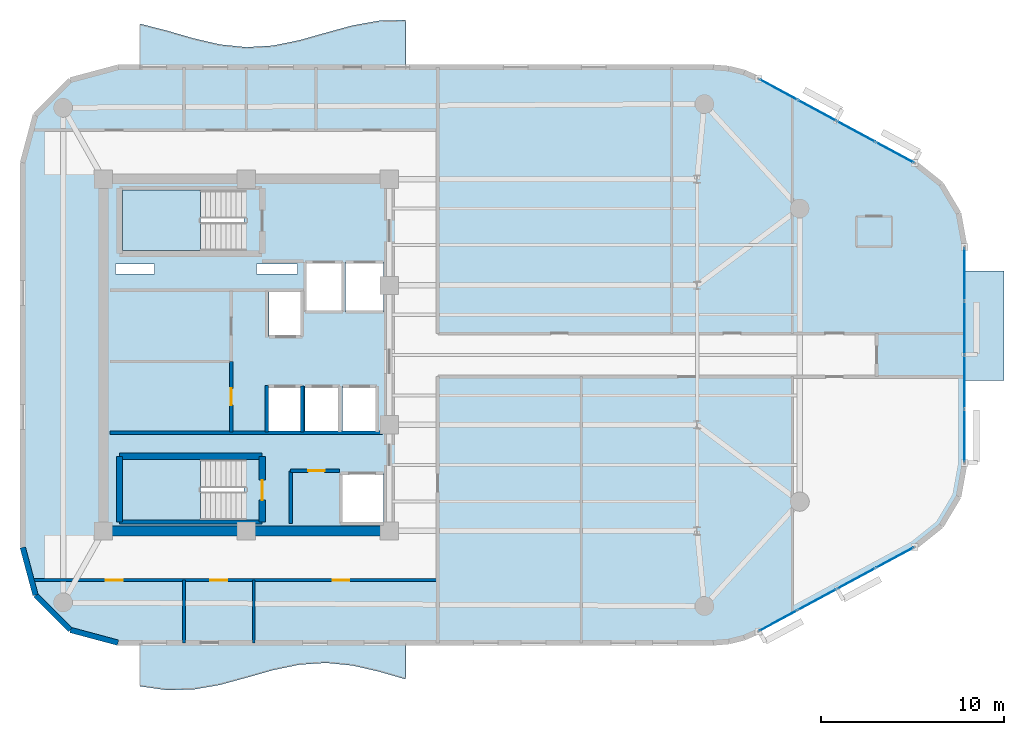
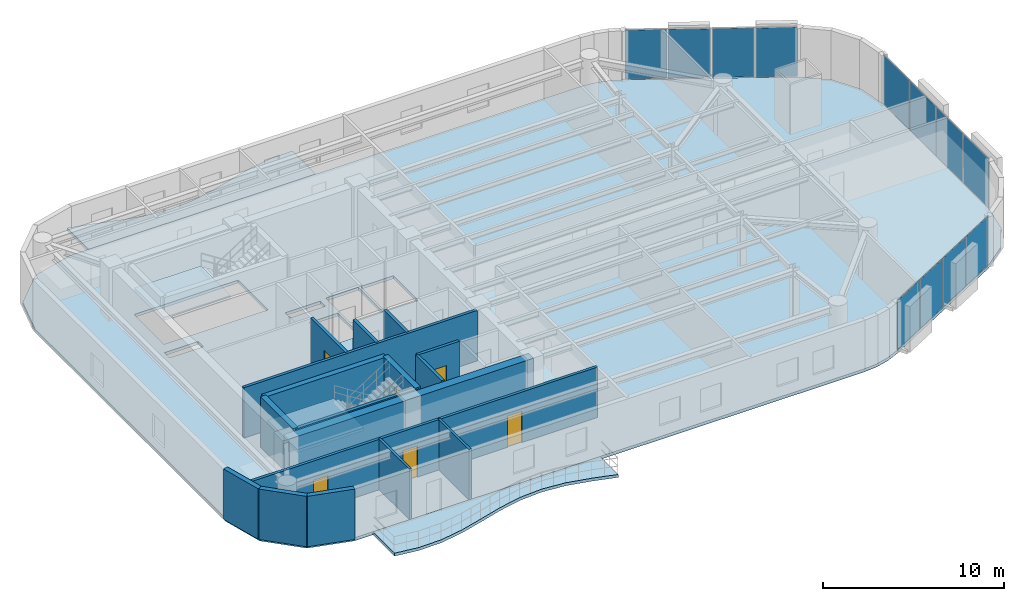
# One storey, part 8 of 13: 17 walls, 12 plates, 6 doors, 6 slabs, 6 openings, 5 elements without a shape of their own.
"""IFC4 building model written with IfcOpenShell, lengths in metres."""

from ifc_helpers import new_model, si_unit, direction, frame, frame_2d, origin, origin_2d, place, context, subcontext, project, spatial, polyline, rectangle, outline, extrude, material, layer, layer_set, type_object, element, fill, aggregate, save


model = new_model("IFC4")

# Units and contexts
model_context = context("Model", 3, precision=1e-05, world=origin(), true_north=direction((0.0, 1.0)))
body_context = subcontext(model_context, "Body", "Model", "MODEL_VIEW")
ifc_project = project(units=[si_unit("LENGTHUNIT", "METRE"), si_unit("AREAUNIT", "SQUARE_METRE"), si_unit("VOLUMEUNIT", "CUBIC_METRE"), si_unit("PLANEANGLEUNIT", "RADIAN"), si_unit("MASSUNIT", "GRAM", prefix="KILO")], contexts=[model_context])

# Site, building, storey
site_placement = place(None, origin())
site = spatial("IfcSite", under=ifc_project, at=site_placement, CompositionType="ELEMENT")
building_placement = place(site_placement, origin())
building = spatial("IfcBuilding", under=site, at=building_placement, Name="An Khanh Terracotta Commons", CompositionType="ELEMENT")
storey_placement = place(building_placement, frame((0.0, 0.0, 212.10009765625)))
storey = spatial("IfcBuildingStorey", under=building, at=storey_placement, Name="L55", CompositionType="ELEMENT", Elevation=212.10009765625)

# Curtain wall, plates
ifc_material_1 = material(Name="Anodised Aluminium 6063-T6", Category="aluminium")
ifc_layer_1 = layer(ifc_material_1, 0.2099609375, Name="Anodised Aluminium 6063-T6")
ifc_layer_set_1 = layer_set([ifc_layer_1], Name="Anodised Aluminium 6063-T6")
curtain_wall_type = type_object("IfcCurtainWallType", Name="CW-SYS-03", PredefinedType="USERDEFINED", material=ifc_layer_set_1)
curtain_wall_1_placement = place(storey_placement, origin())
curtain_wall_1 = element("IfcCurtainWall", 1, at=curtain_wall_1_placement, inside=storey, type_object=curtain_wall_type, Name="L55 CW-03 Unitised Curtain Wall CW-L55-08", ObjectType="UNITISED CURTAIN WALL", PredefinedType="USERDEFINED")
ifc_material_2 = material(Name="Acoustic Laminated Low-E Glazing", Category="glass")
ifc_layer_2 = layer(ifc_material_2, 0.035888671875, Name="Acoustic Laminated Low-E Glazing")
ifc_layer_set_2 = layer_set([ifc_layer_2], Name="Acoustic Laminated Low-E Glazing")
plate_type = type_object("IfcPlateType", Name="CWP-IGU-36", PredefinedType="CURTAIN_PANEL", material=ifc_layer_set_2)
plate_1_placement = place(storey_placement, frame((58.436767578125, 9.508544921875, 0.0498046875), z_axis=(0.0, 0.0, 1.0), x_axis=(0.879780095306, 0.47538088298, 0.0)))
plate_1 = element("IfcPlate", 2, at=plate_1_placement, type_object=plate_type, Name="CW-03 panel 1.1", PredefinedType="CURTAIN_PANEL", context=body_context, shape_type="SweptSolid", body=[
    extrude(rectangle(XDim=2.314697265625, YDim=0.035888671875, at=origin_2d()), origin(), (0.0, 0.0, 1.0), 3.300048828125),
])
plate_2_placement = place(storey_placement, frame((60.550048828125, 10.650390625, 0.0498046875), z_axis=(0.0, 0.0, 1.0), x_axis=(0.879780095306, 0.47538088298, 0.0)))
plate_2 = element("IfcPlate", 3, at=plate_2_placement, type_object=plate_type, Name="CW-03 panel 2.1", PredefinedType="CURTAIN_PANEL", context=body_context, shape_type="SweptSolid", body=[
    extrude(rectangle(XDim=2.349609375, YDim=0.035888671875, at=origin_2d()), origin(), (0.0, 0.0, 1.0), 3.300048828125),
])
plate_3_placement = place(storey_placement, frame((62.678955078125, 11.800537109375, 0.0498046875), z_axis=(0.0, 0.0, 1.0), x_axis=(0.879780095306, 0.47538088298, 0.0)))
plate_3 = element("IfcPlate", 4, at=plate_3_placement, type_object=plate_type, Name="CW-03 panel 3.1", PredefinedType="CURTAIN_PANEL", context=body_context, shape_type="SweptSolid", body=[
    extrude(rectangle(XDim=2.349609375, YDim=0.035888671875, at=origin_2d()), origin(), (0.0, 0.0, 1.0), 3.300048828125),
])
plate_4_placement = place(storey_placement, frame((64.792236328125, 12.942626953125, 0.0498046875), z_axis=(0.0, 0.0, 1.0), x_axis=(0.879780095306, 0.47538088298, 0.0)))
plate_4 = element("IfcPlate", 5, at=plate_4_placement, type_object=plate_type, Name="CW-03 panel 4.1", PredefinedType="CURTAIN_PANEL", context=body_context, shape_type="SweptSolid", body=[
    extrude(rectangle(XDim=2.314697265625, YDim=0.035888671875, at=origin_2d()), origin(), (0.0, 0.0, 1.0), 3.300048828125),
])
aggregate(curtain_wall_1, [plate_1, plate_2, plate_3, plate_4])

curtain_wall_2_placement = place(storey_placement, origin())
curtain_wall_2 = element("IfcCurtainWall", 6, at=curtain_wall_2_placement, inside=storey, type_object=curtain_wall_type, Name="L55 CW-03 Unitised Curtain Wall CW-L55-12", ObjectType="UNITISED CURTAIN WALL", PredefinedType="USERDEFINED")
plate_5_placement = place(storey_placement, frame((68.60009765625, 19.59326171875, 0.0498046875), z_axis=(0.0, 0.0, 1.0), x_axis=(0.0, 1.0, 0.0)))
plate_5 = element("IfcPlate", 7, at=plate_5_placement, type_object=plate_type, Name="CW-03 panel 1.1", PredefinedType="CURTAIN_PANEL", context=body_context, shape_type="SweptSolid", body=[
    extrude(rectangle(XDim=2.844482421875, YDim=0.035888671875, at=origin_2d()), origin(), (0.0, 0.0, 1.0), 3.300048828125),
])
plate_6_placement = place(storey_placement, frame((68.60009765625, 22.525146484375, 0.0498046875), z_axis=(0.0, 0.0, 1.0), x_axis=(0.0, 1.0, 0.0)))
plate_6 = element("IfcPlate", 8, at=plate_6_placement, type_object=plate_type, Name="CW-03 panel 2.1", PredefinedType="CURTAIN_PANEL", context=body_context, shape_type="SweptSolid", body=[
    extrude(rectangle(XDim=2.87939453125, YDim=0.035888671875, at=origin_2d()), origin(), (0.0, 0.0, 1.0), 3.300048828125),
])
plate_7_placement = place(storey_placement, frame((68.60009765625, 25.474853515625, 0.0498046875), z_axis=(0.0, 0.0, 1.0), x_axis=(0.0, 1.0, 0.0)))
plate_7 = element("IfcPlate", 9, at=plate_7_placement, type_object=plate_type, Name="CW-03 panel 3.1", PredefinedType="CURTAIN_PANEL", context=body_context, shape_type="SweptSolid", body=[
    extrude(rectangle(XDim=2.87939453125, YDim=0.035888671875, at=origin_2d()), origin(), (0.0, 0.0, 1.0), 3.300048828125),
])
plate_8_placement = place(storey_placement, frame((68.60009765625, 28.40673828125, 0.0498046875), z_axis=(0.0, 0.0, 1.0), x_axis=(0.0, 1.0, 0.0)))
plate_8 = element("IfcPlate", 10, at=plate_8_placement, type_object=plate_type, Name="CW-03 panel 4.1", PredefinedType="CURTAIN_PANEL", context=body_context, shape_type="SweptSolid", body=[
    extrude(rectangle(XDim=2.844482421875, YDim=0.035888671875, at=origin_2d()), origin(), (0.0, 0.0, 1.0), 3.300048828125),
])
aggregate(curtain_wall_2, [plate_5, plate_6, plate_7, plate_8])

curtain_wall_3_placement = place(storey_placement, origin())
curtain_wall_3 = element("IfcCurtainWall", 11, at=curtain_wall_3_placement, inside=storey, type_object=curtain_wall_type, Name="L55 CW-03 Unitised Curtain Wall CW-L55-16", ObjectType="UNITISED CURTAIN WALL", PredefinedType="USERDEFINED")
plate_9_placement = place(storey_placement, frame((64.792236328125, 35.057373046875, 0.0498046875), z_axis=(0.0, 0.0, 1.0), x_axis=(-0.879780095306, 0.47538088298, 0.0)))
plate_9 = element("IfcPlate", 12, at=plate_9_placement, type_object=plate_type, Name="CW-03 panel 1.1", PredefinedType="CURTAIN_PANEL", context=body_context, shape_type="SweptSolid", body=[
    extrude(rectangle(XDim=2.314697265625, YDim=0.035888671875, at=origin_2d()), origin(), (0.0, 0.0, 1.0), 3.300048828125),
])
plate_10_placement = place(storey_placement, frame((62.678955078125, 36.199462890625, 0.0498046875), z_axis=(0.0, 0.0, 1.0), x_axis=(-0.879780095306, 0.47538088298, 0.0)))
plate_10 = element("IfcPlate", 13, at=plate_10_placement, type_object=plate_type, Name="CW-03 panel 2.1", PredefinedType="CURTAIN_PANEL", context=body_context, shape_type="SweptSolid", body=[
    extrude(rectangle(XDim=2.349609375, YDim=0.035888671875, at=origin_2d()), origin(), (0.0, 0.0, 1.0), 3.300048828125),
])
plate_11_placement = place(storey_placement, frame((60.550048828125, 37.349609375, 0.0498046875), z_axis=(0.0, 0.0, 1.0), x_axis=(-0.879780095306, 0.47538088298, 0.0)))
plate_11 = element("IfcPlate", 14, at=plate_11_placement, type_object=plate_type, Name="CW-03 panel 3.1", PredefinedType="CURTAIN_PANEL", context=body_context, shape_type="SweptSolid", body=[
    extrude(rectangle(XDim=2.349609375, YDim=0.035888671875, at=origin_2d()), origin(), (0.0, 0.0, 1.0), 3.300048828125),
])
plate_12_placement = place(storey_placement, frame((58.436767578125, 38.491455078125, 0.0498046875), z_axis=(0.0, 0.0, 1.0), x_axis=(-0.879780095306, 0.47538088298, 0.0)))
plate_12 = element("IfcPlate", 15, at=plate_12_placement, type_object=plate_type, Name="CW-03 panel 4.1", PredefinedType="CURTAIN_PANEL", context=body_context, shape_type="SweptSolid", body=[
    extrude(rectangle(XDim=2.314697265625, YDim=0.035888671875, at=origin_2d()), origin(), (0.0, 0.0, 1.0), 3.300048828125),
])
aggregate(curtain_wall_3, [plate_9, plate_10, plate_11, plate_12])

# Slabs
ifc_material_3 = material(Name="Concrete C40/50", Category="concrete")
ifc_layer_3 = layer(ifc_material_3, 0.199951171875, Name="Concrete C40/50")
ifc_layer_set_3 = layer_set([ifc_layer_3], Name="Concrete C40/50")
slab_type_1 = type_object("IfcSlabType", Name="SLAB-BALC-200", PredefinedType="FLOOR", material=ifc_layer_set_3)
slab_1_placement = place(storey_placement, frame((0.0, 0.0, -0.2001953125)))
element("IfcSlab", 16, at=slab_1_placement, inside=storey, type_object=slab_type_1, Name="L55 S Sinusoidal Wave Balcony Slab", PredefinedType="FLOOR", context=body_context, shape_type="SweptSolid", body=[
    extrude(outline(polyline([(23.60009765625, 8.300048828125), (23.60009765625, 5.919921875), (25.050048828125, 5.717041015625), (26.5, 5.74609375), (27.949951171875, 5.9970703125), (29.39990234375, 6.39111328125), (30.85009765625, 6.803955078125), (32.300048828125, 7.10400390625), (33.75, 7.198974609375), (35.199951171875, 7.056884765625), (36.64990234375, 6.722900390625), (38.10009765625, 6.303955078125), (38.10009765625, 8.300048828125), (23.60009765625, 8.300048828125)])), origin(), (0.0, 0.0, 1.0), 0.2001953125),
])
slab_2_placement = place(storey_placement, frame((0.0, 0.0, -0.2001953125)))
element("IfcSlab", 17, at=slab_2_placement, inside=storey, type_object=slab_type_1, Name="L55 N Sinusoidal Wave Balcony Slab", PredefinedType="FLOOR", context=body_context, shape_type="SweptSolid", body=[
    extrude(outline(polyline([(38.10009765625, 39.699951171875), (38.10009765625, 42.285888671875), (36.64990234375, 42.248046875), (35.199951171875, 41.990966796875), (33.75, 41.593994140625), (32.300048828125, 41.18408203125), (30.85009765625, 40.888916015625), (29.39990234375, 40.802001953125), (27.949951171875, 40.951904296875), (26.5, 41.2900390625), (25.050048828125, 41.7109375), (23.60009765625, 42.080078125), (23.60009765625, 39.699951171875), (38.10009765625, 39.699951171875)])), origin(), (0.0, 0.0, 1.0), 0.2001953125),
])
ifc_layer_4 = layer(ifc_material_3, 0.22998046875, Name="Concrete C40/50")
ifc_layer_set_4 = layer_set([ifc_layer_4], Name="Concrete C40/50")
slab_type_2 = type_object("IfcSlabType", Name="SLAB-BOXROOF-230", PredefinedType="ROOF", material=ifc_layer_set_4)
slab_3_placement = place(storey_placement, frame((0.0, 0.0, -0.2001953125)))
element("IfcSlab", 18, at=slab_3_placement, inside=storey, type_object=slab_type_2, Name="L55 Shifted Social Kitchen Box Closing Roof Slab (L54)", PredefinedType="ROOF", context=body_context, shape_type="SweptSolid", body=[
    extrude(outline(polyline([(68.60009765625, 22.60009765625), (70.75, 22.60009765625), (70.75, 28.60009765625), (68.60009765625, 28.60009765625), (68.60009765625, 22.60009765625)])), origin(), (0.0, 0.0, 1.0), 0.2001953125),
])

# Stair, slab
ifc_material_4 = material(Name="Precast concrete C40/50", Category="concrete")
stair_type = type_object("IfcStairType", Name="STAIR-CORE-1550", PredefinedType="HALF_TURN_STAIR", material=ifc_material_4)
stair_1_placement = place(storey_placement, origin())
stair_1 = element("IfcStair", 19, at=stair_1_placement, inside=storey, type_object=stair_type, Name="L55 Core Smokeproof Exit Stair ST-01", PredefinedType="HALF_TURN_STAIR")
ifc_layer_5 = layer(ifc_material_3, 0.18994140625, Name="Concrete C40/50")
ifc_layer_set_5 = layer_set([ifc_layer_5], Name="Concrete C40/50")
slab_type_3 = type_object("IfcSlabType", Name="SLAB-LANDING-190", PredefinedType="LANDING", material=ifc_layer_set_5)
slab_4_placement = place(storey_placement, frame((0.0, 0.0, 1.599853515625)))
slab_4 = element("IfcSlab", 20, at=slab_4_placement, type_object=slab_type_3, Name="ST-01 landing 1", PredefinedType="LANDING", context=body_context, shape_type="SweptSolid", body=[
    extrude(outline(polyline([(26.889892578125, 33.0), (22.64990234375, 33.0), (22.64990234375, 29.699951171875), (26.889892578125, 29.699951171875), (26.889892578125, 33.0)])), origin(), (0.0, 0.0, 1.0), 0.199951171875),
])
aggregate(stair_1, [slab_4])

stair_2_placement = place(storey_placement, origin())
stair_2 = element("IfcStair", 21, at=stair_2_placement, inside=storey, type_object=stair_type, Name="L55 Core Smokeproof Exit Stair ST-02", PredefinedType="HALF_TURN_STAIR")
slab_5_placement = place(storey_placement, frame((0.0, 0.0, 1.599853515625)))
slab_5 = element("IfcSlab", 22, at=slab_5_placement, type_object=slab_type_3, Name="ST-02 landing 1", PredefinedType="LANDING", context=body_context, shape_type="SweptSolid", body=[
    extrude(outline(polyline([(26.889892578125, 18.300048828125), (22.64990234375, 18.300048828125), (22.64990234375, 15.0), (26.889892578125, 15.0), (26.889892578125, 18.300048828125)])), origin(), (0.0, 0.0, 1.0), 0.199951171875),
])
aggregate(stair_2, [slab_5])

# Slab
ifc_layer_6 = layer(ifc_material_3, 0.199951171875, Name="Concrete C40/50")
ifc_layer_set_6 = layer_set([ifc_layer_6], Name="Concrete C40/50")
slab_type_4 = type_object("IfcSlabType", Name="SLAB-TYP-200", PredefinedType="FLOOR", material=ifc_layer_set_6)
slab_6_placement = place(storey_placement, frame((0.0, 0.0, -0.2001953125)))
element("IfcSlab", 23, at=slab_6_placement, inside=storey, type_object=slab_type_4, Name="L55 Structural Floor Slab", PredefinedType="FLOOR", context=body_context, shape_type="SweptSolid", body=[
    extrude(outline(polyline([(17.199951171875, 13.5), (17.89697265625, 10.89990234375), (19.800048828125, 8.9970703125), (22.39990234375, 8.300048828125), (54.885009765625, 8.300048828125), (55.739990234375, 8.37109375), (56.571044921875, 8.5810546875), (57.35693359375, 8.925048828125), (65.8720703125, 13.52587890625), (67.320068359375, 14.68408203125), (68.26904296875, 16.27587890625), (68.60009765625, 18.10107421875), (68.60009765625, 29.89892578125), (68.26904296875, 31.72412109375), (67.320068359375, 33.31591796875), (65.8720703125, 34.47412109375), (57.35693359375, 39.074951171875), (56.571044921875, 39.4189453125), (55.739990234375, 39.62890625), (54.885009765625, 39.699951171875), (22.39990234375, 39.699951171875), (19.800048828125, 39.0029296875), (17.89697265625, 37.10009765625), (17.199951171875, 34.5), (17.199951171875, 13.5)]), holes=[polyline([(22.64990234375, 29.699951171875), (29.27001953125, 29.699951171875), (29.27001953125, 33.0), (22.64990234375, 33.0), (22.64990234375, 29.699951171875)]), polyline([(22.64990234375, 15.0), (29.27001953125, 15.0), (29.27001953125, 18.300048828125), (22.64990234375, 18.300048828125), (22.64990234375, 15.0)]), polyline([(32.60009765625, 26.35009765625), (34.679931640625, 26.35009765625), (34.679931640625, 29.080078125), (32.60009765625, 29.080078125), (32.60009765625, 26.35009765625)]), polyline([(34.820068359375, 26.35009765625), (36.89990234375, 26.35009765625), (36.89990234375, 29.080078125), (34.820068359375, 29.080078125), (34.820068359375, 26.35009765625)]), polyline([(34.550048828125, 14.800048828125), (36.89990234375, 14.800048828125), (36.89990234375, 17.550048828125), (34.550048828125, 17.550048828125), (34.550048828125, 14.800048828125)]), polyline([(30.639892578125, 25.0), (32.4599609375, 25.0), (32.4599609375, 27.5), (30.639892578125, 27.5), (30.639892578125, 25.0)]), polyline([(30.56005859375, 19.800048828125), (32.4599609375, 19.800048828125), (32.4599609375, 22.300048828125), (30.56005859375, 22.300048828125), (30.56005859375, 19.800048828125)]), polyline([(32.60009765625, 19.800048828125), (34.5, 19.800048828125), (34.5, 22.300048828125), (32.60009765625, 22.300048828125), (32.60009765625, 19.800048828125)]), polyline([(34.639892578125, 19.800048828125), (36.5400390625, 19.800048828125), (36.5400390625, 22.300048828125), (34.639892578125, 22.300048828125), (34.639892578125, 19.800048828125)]), polyline([(22.25, 28.419921875), (24.39990234375, 28.419921875), (24.39990234375, 28.97998046875), (22.25, 28.97998046875), (22.25, 28.419921875)]), polyline([(29.949951171875, 28.419921875), (32.199951171875, 28.419921875), (32.199951171875, 28.97998046875), (29.949951171875, 28.97998046875), (29.949951171875, 28.419921875)])]), origin(), (0.0, 0.0, 1.0), 0.2001953125),
])

# Walls
ifc_material_5 = material(Name="Concrete C50/60", Category="concrete")
ifc_layer_7 = layer(ifc_material_5, 0.550048828125, Name="Concrete C50/60")
ifc_layer_set_7 = layer_set([ifc_layer_7], Name="Concrete C50/60")
wall_type_1 = type_object("IfcWallType", Name="WALL-CORE-550", PredefinedType="SHEAR", material=ifc_layer_set_7)
wall_1_placement = place(storey_placement, frame((37.199951171875, 14.39990234375, 0.0), z_axis=(0.0, 0.0, 1.0), x_axis=(-1.0, 0.0, 0.0)))
element("IfcWall", 24, at=wall_1_placement, inside=storey, type_object=wall_type_1, Name="L55 Core Wall CWALL-L55-S", PredefinedType="SHEAR", context=body_context, shape_type="SweptSolid", body=[
    extrude(rectangle(XDim=15.599853515625, YDim=0.550048828125, at=frame_2d((7.7998046875, 0.0))), origin(), (0.0, 0.0, 1.0), 3.39990234375),
])
ifc_material_6 = material(Name="Fire-Rated Gypsum Board on Steel Stud", Category="steel")
ifc_layer_8 = layer(ifc_material_6, 0.179931640625, Name="Fire-Rated Gypsum Board on Steel Stud")
ifc_layer_set_8 = layer_set([ifc_layer_8], Name="Fire-Rated Gypsum Board on Steel Stud")
wall_type_2 = type_object("IfcWallType", Name="WALL-CORR-180", PredefinedType="PARTITIONING", material=ifc_layer_set_8)
wall_2_placement = place(storey_placement, frame((21.949951171875, 19.760009765625, 0.0), z_axis=(0.0, 0.0, 1.0), x_axis=(1.0, 0.0, 0.0)))
element("IfcWall", 25, at=wall_2_placement, inside=storey, type_object=wall_type_2, Name="L55 Core Wall SVW-L55-N", PredefinedType="PARTITIONING", context=body_context, shape_type="SweptSolid", body=[
    extrude(rectangle(XDim=14.8701171875, YDim=0.179931640625, at=frame_2d((7.43505859375, 0.0))), origin(), (0.0, 0.0, 1.0), 3.39990234375),
])

# Wall, opening, door
wall_3_placement = place(storey_placement, frame((31.820068359375, 17.679931640625, 0.0), z_axis=(0.0, 0.0, 1.0), x_axis=(1.0, 0.0, 0.0)))
wall_3 = element("IfcWall", 26, at=wall_3_placement, inside=storey, type_object=wall_type_2, Name="L55 Core Wall SSVCW-L55-N", PredefinedType="PARTITIONING", context=body_context, shape_type="SweptSolid", body=[
    extrude(rectangle(XDim=2.659912109375, YDim=0.179931640625, at=frame_2d((1.330078125, 0.0))), origin(), (0.0, 0.0, 1.0), 3.39990234375),
])
opening_1_placement = place(wall_3_placement, frame((0.949951171875, 0.0, 0.0)))
opening_1 = element("IfcOpeningElement", 27, at=opening_1_placement, cuts=wall_3, Name="Opening D-SV", PredefinedType="OPENING", context=body_context, shape_type="SweptSolid", body=[
    extrude(rectangle(XDim=0.89990234375, YDim=2.050048828125, at=frame_2d((0.449951171875, 1.02490234375))), frame((0.0, 0.099853515625, 0.0), z_axis=(0.0, -1.0, 0.0), x_axis=(1.0, 0.0, 0.0)), (0.0, 0.0, 1.0), 0.199951171875),
])
ifc_material_7 = material(Name="Fire-Rated Powder-Coated Steel Door", Category="steel")
door_type_1 = type_object("IfcDoorType", Name="DOOR-SERV-900", OperationType="NOTDEFINED", PredefinedType="DOOR", material=ifc_material_7)
door_1_placement = place(opening_1_placement, origin())
door_1 = element("IfcDoor", 28, at=door_1_placement, inside=storey, type_object=door_type_1, Name="L55 Electrical Switch Cupboard Door", OperationType="SINGLE_SWING_LEFT", OverallHeight=2.050048828125, OverallWidth=0.89990234375, PredefinedType="DOOR", context=body_context, shape_type="SweptSolid", body=[
    extrude(rectangle(XDim=0.89990234375, YDim=2.050048828125, at=frame_2d((0.449951171875, 1.02490234375))), frame((0.0, 0.02490234375, 0.0), z_axis=(0.0, -1.0, 0.0), x_axis=(1.0, 0.0, 0.0)), (0.0, 0.0, 1.0), 0.050048828125),
])
fill(opening_1, door_1)

# Walls
wall_4_placement = place(storey_placement, frame((31.820068359375, 14.800048828125, 0.0), z_axis=(0.0, 0.0, 1.0), x_axis=(0.0, 1.0, 0.0)))
element("IfcWall", 29, at=wall_4_placement, inside=storey, type_object=wall_type_2, Name="L55 Core Wall SSVCW-L55-W", PredefinedType="PARTITIONING", context=body_context, shape_type="SweptSolid", body=[
    extrude(rectangle(XDim=2.8798828125, YDim=0.179931640625, at=frame_2d((1.43994140625, 0.0))), origin(), (0.0, 0.0, 1.0), 3.39990234375),
])
wall_5_placement = place(storey_placement, frame((32.4599609375, 19.800048828125, 0.0), z_axis=(0.0, 0.0, 1.0), x_axis=(0.0, 1.0, 0.0)))
element("IfcWall", 30, at=wall_5_placement, inside=storey, type_object=wall_type_2, Name="L55 Core Wall LSH-L55-PL-H2-E", PredefinedType="PARTITIONING", context=body_context, shape_type="SweptSolid", body=[
    extrude(rectangle(XDim=2.5, YDim=0.179931640625, at=frame_2d((1.25, 0.0))), origin(), (0.0, 0.0, 1.0), 3.39990234375),
])
wall_6_placement = place(storey_placement, frame((30.52001953125, 19.800048828125, 0.0), z_axis=(0.0, 0.0, 1.0), x_axis=(0.0, 1.0, 0.0)))
element("IfcWall", 31, at=wall_6_placement, inside=storey, type_object=wall_type_2, Name="L55 Core Wall RECW-L55-BE2", PredefinedType="PARTITIONING", context=body_context, shape_type="SweptSolid", body=[
    extrude(rectangle(XDim=2.550048828125, YDim=0.179931640625, at=frame_2d((1.27490234375, 0.0))), origin(), (0.0, 0.0, 1.0), 3.39990234375),
])

# Wall, opening, door
wall_7_placement = place(storey_placement, frame((28.580078125, 19.800048828125, 0.0), z_axis=(0.0, 0.0, 1.0), x_axis=(0.0, 1.0, 0.0)))
wall_7 = element("IfcWall", 32, at=wall_7_placement, inside=storey, type_object=wall_type_2, Name="L55 Core Wall RECW-L55-E2", PredefinedType="PARTITIONING", context=body_context, shape_type="SweptSolid", body=[
    extrude(rectangle(XDim=3.849853515625, YDim=0.179931640625, at=frame_2d((1.9248046875, 0.0))), origin(), (0.0, 0.0, 1.0), 3.39990234375),
])
opening_2_placement = place(wall_7_placement, frame((1.465087890625, 0.0, 0.0)))
opening_2 = element("IfcOpeningElement", 33, at=opening_2_placement, cuts=wall_7, Name="Opening D-RM", PredefinedType="OPENING", context=body_context, shape_type="SweptSolid", body=[
    extrude(rectangle(XDim=0.919921875, YDim=2.10009765625, at=frame_2d((0.4599609375, 1.050048828125))), frame((0.0, 0.099853515625, 0.0), z_axis=(0.0, -1.0, 0.0), x_axis=(1.0, 0.0, 0.0)), (0.0, 0.0, 1.0), 0.199951171875),
])
ifc_material_8 = material(Name="Engineered Hardwood Timber Leaf", Category="wood")
door_type_2 = type_object("IfcDoorType", Name="DOOR-INT-920", OperationType="NOTDEFINED", PredefinedType="DOOR", material=ifc_material_8)
door_2_placement = place(opening_2_placement, origin())
door_2 = element("IfcDoor", 34, at=door_2_placement, inside=storey, type_object=door_type_2, Name="L55 Quiet Fellowship Study Room Door", OperationType="SINGLE_SWING_LEFT", OverallHeight=2.10009765625, OverallWidth=0.919921875, PredefinedType="DOOR", context=body_context, shape_type="SweptSolid", body=[
    extrude(rectangle(XDim=0.919921875, YDim=2.10009765625, at=frame_2d((0.4599609375, 1.050048828125))), frame((0.0, 0.02490234375, 0.0), z_axis=(0.0, -1.0, 0.0), x_axis=(1.0, 0.0, 0.0)), (0.0, 0.0, 1.0), 0.050048828125),
])
fill(opening_2, door_2)

# Wall, openings, doors
wall_8_placement = place(storey_placement, frame((17.677001953125, 11.719970703125, 0.0), z_axis=(0.0, 0.0, 1.0), x_axis=(1.0, 0.0, 0.0)))
wall_8 = element("IfcWall", 35, at=wall_8_placement, inside=storey, type_object=wall_type_2, Name="L55 Interior Partition IW-L55-E001", PredefinedType="PARTITIONING", context=body_context, shape_type="SweptSolid", body=[
    extrude(rectangle(XDim=22.173095703125, YDim=0.179931640625, at=frame_2d((11.08642578125, 0.0))), origin(), (0.0, 0.0, 1.0), 3.39990234375),
])
opening_3_placement = place(wall_8_placement, frame((9.762939453125, 0.0, 0.0)))
opening_3 = element("IfcOpeningElement", 36, at=opening_3_placement, cuts=wall_8, Name="Opening D-RM", PredefinedType="OPENING", context=body_context, shape_type="SweptSolid", body=[
    extrude(rectangle(XDim=0.919921875, YDim=2.10009765625, at=frame_2d((0.4599609375, 1.050048828125))), frame((0.0, 0.099853515625, 0.0), z_axis=(0.0, -1.0, 0.0), x_axis=(1.0, 0.0, 0.0)), (0.0, 0.0, 1.0), 0.199951171875),
])
opening_4_placement = place(wall_8_placement, frame((4.06298828125, 0.0, 0.0)))
opening_4 = element("IfcOpeningElement", 37, at=opening_4_placement, cuts=wall_8, Name="Opening D-RM", PredefinedType="OPENING", context=body_context, shape_type="SweptSolid", body=[
    extrude(rectangle(XDim=0.919921875, YDim=2.10009765625, at=frame_2d((0.4599609375, 1.050048828125))), frame((0.0, 0.099853515625, 0.0), z_axis=(0.0, -1.0, 0.0), x_axis=(1.0, 0.0, 0.0)), (0.0, 0.0, 1.0), 0.199951171875),
])
opening_5_placement = place(wall_8_placement, frame((16.427978515625, 0.0, 0.0)))
opening_5 = element("IfcOpeningElement", 38, at=opening_5_placement, cuts=wall_8, Name="Opening D-RM", PredefinedType="OPENING", context=body_context, shape_type="SweptSolid", body=[
    extrude(rectangle(XDim=0.919921875, YDim=2.10009765625, at=frame_2d((0.4599609375, 1.050048828125))), frame((0.0, 0.099853515625, 0.0), z_axis=(0.0, -1.0, 0.0), x_axis=(1.0, 0.0, 0.0)), (0.0, 0.0, 1.0), 0.199951171875),
])
door_3_placement = place(opening_3_placement, origin())
door_3 = element("IfcDoor", 39, at=door_3_placement, inside=storey, type_object=door_type_2, Name="L55 HKP Housekeeping Linen Store Door", OperationType="SINGLE_SWING_LEFT", OverallHeight=2.10009765625, OverallWidth=0.919921875, PredefinedType="DOOR", context=body_context, shape_type="SweptSolid", body=[
    extrude(rectangle(XDim=0.919921875, YDim=2.10009765625, at=frame_2d((0.4599609375, 1.050048828125))), frame((0.0, 0.02490234375, 0.0), z_axis=(0.0, -1.0, 0.0), x_axis=(1.0, 0.0, 0.0)), (0.0, 0.0, 1.0), 0.050048828125),
])
fill(opening_3, door_3)
door_4_placement = place(opening_4_placement, origin())
door_4 = element("IfcDoor", 40, at=door_4_placement, inside=storey, type_object=door_type_2, Name="L55 SW1 Communal Kitchen and Dining Door", OperationType="SINGLE_SWING_LEFT", OverallHeight=2.10009765625, OverallWidth=0.919921875, PredefinedType="DOOR", context=body_context, shape_type="SweptSolid", body=[
    extrude(rectangle(XDim=0.919921875, YDim=2.10009765625, at=frame_2d((0.4599609375, 1.050048828125))), frame((0.0, 0.02490234375, 0.0), z_axis=(0.0, -1.0, 0.0), x_axis=(1.0, 0.0, 0.0)), (0.0, 0.0, 1.0), 0.050048828125),
])
fill(opening_4, door_4)
door_5_placement = place(opening_5_placement, origin())
door_5 = element("IfcDoor", 41, at=door_5_placement, inside=storey, type_object=door_type_2, Name="L55 SWE Communal Kitchen and Dining Door", OperationType="SINGLE_SWING_RIGHT", OverallHeight=2.10009765625, OverallWidth=0.919921875, PredefinedType="DOOR", context=body_context, shape_type="SweptSolid", body=[
    extrude(rectangle(XDim=0.919921875, YDim=2.10009765625, at=frame_2d((0.4599609375, 1.050048828125))), frame((0.0, 0.02490234375, 0.0), z_axis=(0.0, -1.0, 0.0), x_axis=(1.0, 0.0, 0.0)), (0.0, 0.0, 1.0), 0.050048828125),
])
fill(opening_5, door_5)

# Walls
ifc_layer_9 = layer(ifc_material_4, 0.300048828125, Name="Precast concrete C40/50")
ifc_layer_set_9 = layer_set([ifc_layer_9], Name="Precast concrete C40/50")
wall_type_3 = type_object("IfcWallType", Name="WALL-EXT-300", PredefinedType="SOLIDWALL", material=ifc_layer_set_9)
wall_9_placement = place(storey_placement, frame((17.199951171875, 13.5, 0.0), z_axis=(0.0, 0.0, 1.0), x_axis=(0.258932525951, -0.965895412042, 0.0)))
element("IfcWall", 42, at=wall_9_placement, inside=storey, type_object=wall_type_3, Name="L55 Insulated Terracotta Exterior Wall 1", PredefinedType="SOLIDWALL", context=body_context, shape_type="SweptSolid", body=[
    extrude(rectangle(XDim=2.69189453125, YDim=0.300048828125, at=frame_2d((1.345947265625, 0.0))), origin(), (0.0, 0.0, 1.0), 3.39990234375),
])
wall_10_placement = place(storey_placement, frame((17.89697265625, 10.89990234375, 0.0), z_axis=(0.0, 0.0, 1.0), x_axis=(0.707152139074, -0.70706142039, 0.0)))
element("IfcWall", 43, at=wall_10_placement, inside=storey, type_object=wall_type_3, Name="L55 Insulated Terracotta Exterior Wall 2", PredefinedType="SOLIDWALL", context=body_context, shape_type="SweptSolid", body=[
    extrude(rectangle(XDim=2.691162109375, YDim=0.300048828125, at=frame_2d((1.345703125, 0.0))), origin(), (0.0, 0.0, 1.0), 3.39990234375),
])
wall_11_placement = place(storey_placement, frame((19.800048828125, 8.9970703125, 0.0), z_axis=(0.0, 0.0, 1.0), x_axis=(0.965889330541, -0.258955210695, 0.0)))
element("IfcWall", 44, at=wall_11_placement, inside=storey, type_object=wall_type_3, Name="L55 Insulated Terracotta Exterior Wall 3", PredefinedType="SOLIDWALL", context=body_context, shape_type="SweptSolid", body=[
    extrude(rectangle(XDim=2.691650390625, YDim=0.300048828125, at=frame_2d((1.345703125, 0.0))), origin(), (0.0, 0.0, 1.0), 3.39990234375),
])
ifc_material_9 = material(Name="Acoustic Gypsum Board Partition")
ifc_layer_10 = layer(ifc_material_9, 0.14990234375, Name="Acoustic Gypsum Board Partition")
ifc_layer_set_10 = layer_set([ifc_layer_10], Name="Acoustic Gypsum Board Partition")
wall_type_4 = type_object("IfcWallType", Name="WALL-PART-150", PredefinedType="PARTITIONING", material=ifc_layer_set_10)
for number, where, z_axis, x_axis, name in (
    (45, (26.0, 8.300048828125, 0.0), (0.0, 0.0, 1.0), (0.0, 1.0, 0.0), "L55 Interior Partition IW-L55-E005"),
    (46, (29.800048828125, 8.300048828125, 0.0), (0.0, 0.0, 1.0), (0.0, 1.0, 0.0), "L55 Interior Partition IW-L55-E008"),
):
    element("IfcWall", number, at=place(storey_placement, frame(where, z_axis=z_axis, x_axis=x_axis)), inside=storey, type_object=wall_type_4, Name=name, PredefinedType="PARTITIONING", context=body_context, shape_type="SweptSolid", body=[
        extrude(rectangle(XDim=3.419921875, YDim=0.14990234375, at=frame_2d((1.7099609375, 0.0))), origin(), (0.0, 0.0, 1.0), 3.39990234375),
    ])
ifc_material_10 = material(Name="Acoustic Double-Stud Gypsum and Mineral Wool")
ifc_layer_11 = layer(ifc_material_10, 0.219970703125, Name="Acoustic Double-Stud Gypsum and Mineral Wool")
ifc_layer_set_11 = layer_set([ifc_layer_11], Name="Acoustic Double-Stud Gypsum and Mineral Wool")
wall_type_5 = type_object("IfcWallType", Name="WALL-PARTY-220", PredefinedType="PARTITIONING", material=ifc_layer_set_11)
wall_12_placement = place(storey_placement, frame((22.47998046875, 14.889892578125, 0.0), z_axis=(0.0, 0.0, 1.0), x_axis=(1.0, 0.0, 0.0)))
element("IfcWall", 47, at=wall_12_placement, inside=storey, type_object=wall_type_5, Name="L55 Core Wall STW-L55-S-S", PredefinedType="PARTITIONING", context=body_context, shape_type="SweptSolid", body=[
    extrude(rectangle(XDim=7.7900390625, YDim=0.219970703125, at=frame_2d((3.89501953125, 0.0))), origin(), (0.0, 0.0, 1.0), 3.39990234375),
])
ifc_layer_12 = layer(ifc_material_5, 0.35009765625, Name="Concrete C50/60")
ifc_layer_set_12 = layer_set([ifc_layer_12], Name="Concrete C50/60")
wall_type_6 = type_object("IfcWallType", Name="WALL-SHAFT-350", PredefinedType="SOLIDWALL", material=ifc_layer_set_12)
wall_13_placement = place(storey_placement, frame((22.47998046875, 18.469970703125, 0.0), z_axis=(0.0, 0.0, 1.0), x_axis=(1.0, 0.0, 0.0)))
element("IfcWall", 48, at=wall_13_placement, inside=storey, type_object=wall_type_6, Name="L55 Core Wall STW-L55-S-N", PredefinedType="SOLIDWALL", context=body_context, shape_type="SweptSolid", body=[
    extrude(rectangle(XDim=7.7900390625, YDim=0.35009765625, at=frame_2d((3.89501953125, 0.0))), origin(), (0.0, 0.0, 1.0), 3.39990234375),
])
wall_14_placement = place(storey_placement, frame((22.47998046875, 14.889892578125, 0.0), z_axis=(0.0, 0.0, 1.0), x_axis=(0.0, 1.0, 0.0)))
element("IfcWall", 49, at=wall_14_placement, inside=storey, type_object=wall_type_6, Name="L55 Core Wall STW-L55-S-W", PredefinedType="SOLIDWALL", context=body_context, shape_type="SweptSolid", body=[
    extrude(rectangle(XDim=3.580078125, YDim=0.35009765625, at=frame_2d((1.7900390625, 0.0))), origin(), (0.0, 0.0, 1.0), 3.39990234375),
])

# Wall, opening, door
wall_15_placement = place(storey_placement, frame((30.27001953125, 14.889892578125, 0.0), z_axis=(0.0, 0.0, 1.0), x_axis=(0.0, 1.0, 0.0)))
wall_15 = element("IfcWall", 50, at=wall_15_placement, inside=storey, type_object=wall_type_6, Name="L55 Core Wall STW-L55-S-E", PredefinedType="SOLIDWALL", context=body_context, shape_type="SweptSolid", body=[
    extrude(rectangle(XDim=3.580078125, YDim=0.35009765625, at=frame_2d((1.7900390625, 0.0))), origin(), (0.0, 0.0, 1.0), 3.39990234375),
])
opening_6_placement = place(wall_15_placement, frame((1.18994140625, 0.0, 0.0)))
opening_6 = element("IfcOpeningElement", 51, at=opening_6_placement, cuts=wall_15, Name="Opening D-ST", PredefinedType="OPENING", context=body_context, shape_type="SweptSolid", body=[
    extrude(rectangle(XDim=1.10009765625, YDim=2.14990234375, at=frame_2d((0.550048828125, 1.074951171875))), frame((0.0, 0.18505859375, 0.0), z_axis=(0.0, -1.0, 0.0), x_axis=(1.0, 0.0, 0.0)), (0.0, 0.0, 1.0), 0.3701171875),
])
ifc_material_11 = material(Name="Fire-Rated Steel Leaf and Frame", Category="steel")
door_type_3 = type_object("IfcDoorType", Name="DOOR-STAIR-1100", OperationType="NOTDEFINED", PredefinedType="DOOR", material=ifc_material_11)
door_6_placement = place(opening_6_placement, origin())
door_6 = element("IfcDoor", 52, at=door_6_placement, inside=storey, type_object=door_type_3, Name="L55 Stair ST-02 Fire Door", OperationType="SINGLE_SWING_RIGHT", OverallHeight=2.14990234375, OverallWidth=1.10009765625, PredefinedType="DOOR", context=body_context, shape_type="SweptSolid", body=[
    extrude(rectangle(XDim=1.10009765625, YDim=2.14990234375, at=frame_2d((0.550048828125, 1.074951171875))), frame((0.0, 0.02490234375, 0.0), z_axis=(0.0, -1.0, 0.0), x_axis=(1.0, 0.0, 0.0)), (0.0, 0.0, 1.0), 0.050048828125),
])
fill(opening_6, door_6)

save(model, "model.ifc")
